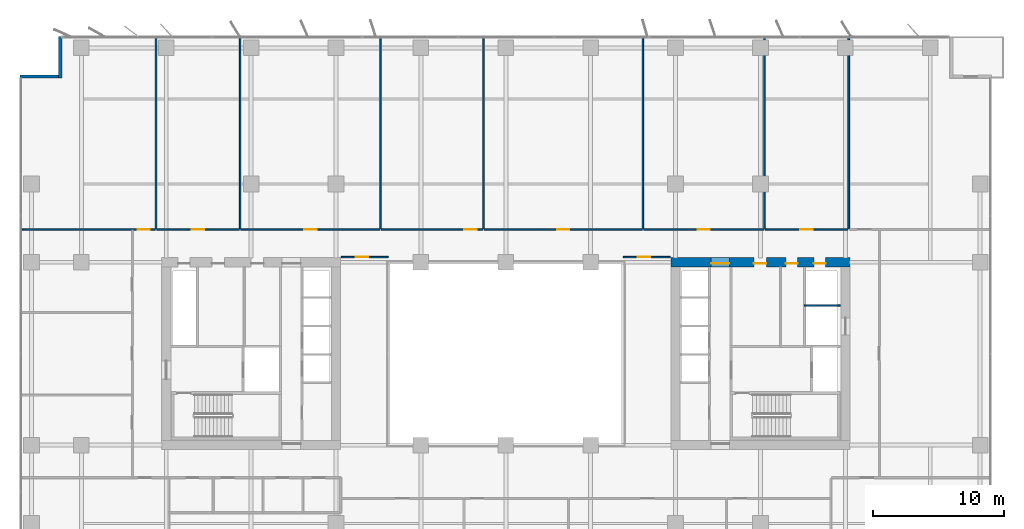
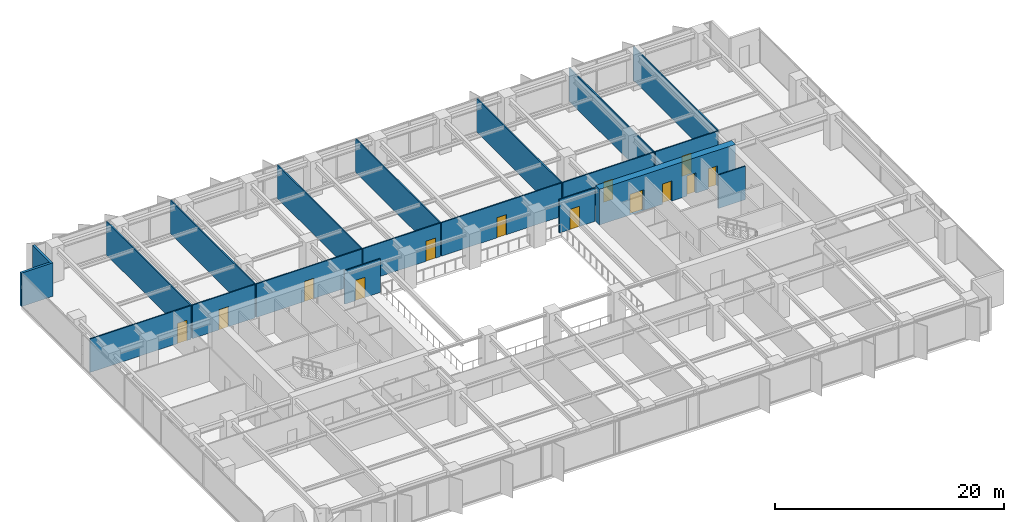
# One storey, part 15 of 20: 20 walls, 13 doors, 13 openings.
"""IFC4 building model written with IfcOpenShell, lengths in metres."""

import ifcopenshell
import ifcopenshell.guid

model = None  # the IFC model being written
_history = None  # IfcOwnerHistory: only IFC2X3 demands one
_inside = {}  # id of a spatial element -> (the spatial element, [elements in it])
_under = {}  # id of a project, library or spatial element -> (it, [spatial elements below it])
_declared = {}  # id of a project -> (the project, [libraries it declares])
_typed = {}  # id of a type object -> (the type object, [elements of that type])
_made_of = {}  # id of a material, layer set ... -> (it, [elements and type objects made of it])


def new_model(schema):
    """Start an empty IFC model of exactly this schema.

    Asked for "IFC4X3", IfcOpenShell would pick the latest addendum, in which some entities
    have other attributes; the version numbers below select the first issue.
    IFC2X3 requires an IfcOwnerHistory on every rooted entity: one is made here for all.
    """
    global model, _history
    if schema == "IFC4X3":
        model = ifcopenshell.file(schema_version=(4, 3, 0, 0))
    else:
        model = ifcopenshell.file(schema=schema)
    _inside.clear()
    _under.clear()
    _declared.clear()
    _typed.clear()
    _made_of.clear()
    _history = None
    if model.schema == "IFC2X3":
        org = make("IfcOrganization", Name="unknown")
        user = make(
            "IfcPersonAndOrganization",
            ThePerson=make("IfcPerson", FamilyName="unknown"),
            TheOrganization=org,
        )
        app = make(
            "IfcApplication",
            ApplicationDeveloper=org,
            Version="unknown",
            ApplicationFullName="unknown",
            ApplicationIdentifier="unknown",
        )
        _history = make(
            "IfcOwnerHistory",
            OwningUser=user,
            OwningApplication=app,
            ChangeAction="ADDED",
            CreationDate=0,
        )
    return model


def make(cls, **values):
    """One entity of the class cls with the attributes given. An attribute that is None is left unset."""
    return model.create_entity(
        cls, **{name: value for name, value in values.items() if value is not None}
    )


def rooted(cls, **values):
    """An entity with a GlobalId (a new one), such as an element, a storey or a relation."""
    return make(cls, GlobalId=ifcopenshell.guid.new(), OwnerHistory=_history, **values)


def si_unit(unit_type, name, prefix=None):
    """IfcSIUnit, for example si_unit("LENGTHUNIT", "METRE", prefix="MILLI")."""
    return make("IfcSIUnit", UnitType=unit_type, Prefix=prefix, Name=name)


def assignment(units):
    """IfcUnitAssignment: the units of a project."""
    return None if units is None else make("IfcUnitAssignment", Units=units)


def point(xyz):
    """IfcCartesianPoint."""
    return None if xyz is None else make("IfcCartesianPoint", Coordinates=xyz)


def direction(xyz):
    """IfcDirection."""
    return None if xyz is None else make("IfcDirection", DirectionRatios=xyz)


def frame(location, z_axis=None, x_axis=None):
    """IfcAxis2Placement3D, a coordinate frame: its origin and axes. An axis left out is left unset."""
    return make(
        "IfcAxis2Placement3D",
        Location=point(location),
        Axis=direction(z_axis),
        RefDirection=direction(x_axis),
    )


def frame_2d(location, x_axis=None):
    """IfcAxis2Placement2D, a coordinate frame in the plane: its origin and x axis."""
    return make(
        "IfcAxis2Placement2D", Location=point(location), RefDirection=direction(x_axis)
    )


def origin():
    """The frame at (0, 0, 0) with its axes left unset."""
    return frame((0.0, 0.0, 0.0))


def place(relative_to, where):
    """IfcLocalPlacement: puts the frame where relative to a parent placement (None: the world)."""
    return make(
        "IfcLocalPlacement", PlacementRelTo=relative_to, RelativePlacement=where
    )


def context(
    kind, dimensions, precision=None, world=None, true_north=None, identifier=None
):
    """IfcGeometricRepresentationContext, for example the 3D "Model" context."""
    return make(
        "IfcGeometricRepresentationContext",
        ContextIdentifier=identifier,
        ContextType=kind,
        CoordinateSpaceDimension=dimensions,
        Precision=precision,
        WorldCoordinateSystem=world,
        TrueNorth=true_north,
    )


def subcontext(parent, identifier, kind, view, scale=None):
    """IfcGeometricRepresentationSubContext, for example "Body" below "Model"."""
    return make(
        "IfcGeometricRepresentationSubContext",
        ContextIdentifier=identifier,
        ContextType=kind,
        ParentContext=parent,
        TargetScale=scale,
        TargetView=view,
    )


def project(units=None, contexts=None):
    """IfcProject with its units and contexts."""
    return rooted(
        "IfcProject",
        Name="project",
        RepresentationContexts=contexts,
        UnitsInContext=assignment(units),
    )


def spatial(cls, under=None, at=None, **own):
    """A site, building, storey or space (cls), placed at a placement, below another one or the project."""
    s = rooted(cls, ObjectPlacement=at, **own)
    if under is not None:
        _under.setdefault(under.id(), (under, []))[1].append(s)
    return s


def profile(cls, at=None, kind="AREA", **sizes):
    """A parametric profile (cls). Its sizes go by their IFC names, for example OverallWidth=200.0."""
    return make(cls, ProfileType=kind, Position=at, **sizes)


def rectangle(**sizes):
    """IfcRectangleProfileDef."""
    return profile("IfcRectangleProfileDef", **sizes)


def extrude(swept, where, along, depth):
    """IfcExtrudedAreaSolid: the profile swept, set in the frame where, extruded along a direction by depth."""
    return make(
        "IfcExtrudedAreaSolid",
        SweptArea=swept,
        Position=where,
        ExtrudedDirection=direction(along),
        Depth=depth,
    )


def shape(context_of_items, identifier, shape_type, items):
    """IfcShapeRepresentation: the items that make up one representation, for example the "Body"."""
    return make(
        "IfcShapeRepresentation",
        ContextOfItems=context_of_items,
        RepresentationIdentifier=identifier,
        RepresentationType=shape_type,
        Items=items,
    )


def material(Name=None, Category=None):
    """IfcMaterial."""
    return make("IfcMaterial", Name=Name, Category=Category)


def layer(
    of_material, thickness, ventilated=None, Name=None, Category=None, Priority=None
):
    """IfcMaterialLayer: one layer of a wall or slab, of a material (None: an air gap)."""
    return make(
        "IfcMaterialLayer",
        Material=of_material,
        LayerThickness=thickness,
        IsVentilated=ventilated,
        Name=Name,
        Category=Category,
        Priority=Priority,
    )


def layer_set(layers, Name=None):
    """IfcMaterialLayerSet."""
    return make("IfcMaterialLayerSet", MaterialLayers=layers, LayerSetName=Name)


def made_of(thing, what):
    """Note that an element or type object is made of a material, layer set ...; save() writes the relation."""
    if what is not None:
        _made_of.setdefault(what.id(), (what, []))[1].append(thing)
    return thing


def type_object(cls, material=None, **own):
    """A type object (cls), such as IfcWallType, which elements share."""
    return made_of(rooted(cls, **own), material)


def element(
    cls,
    number,
    at=None,
    inside=None,
    cuts=None,
    type_object=None,
    material=None,
    context=None,
    identifier="Body",
    shape_type=None,
    held_by="IfcProductDefinitionShape",
    body=None,
    shapes=None,
    **own,
):
    """One element of the class cls, such as IfcWall. Its Tag is "e" and its number.

    at: its placement. inside: the storey or other place that contains it. cuts: it is an
    opening in that element (IfcRelVoidsElement). A single representation is given by context,
    identifier, shape_type and body (its items); several are given by shapes. held_by: the class
    of the entity that holds the representations. save() writes the other relations.
    """
    e = rooted(cls, Tag="e%d" % number, ObjectPlacement=at, **own)
    if body is not None:
        shapes = [shape(context, identifier, shape_type, body)]
    if shapes is not None:
        e.Representation = make(held_by, Representations=shapes)
    if inside is not None:
        _inside.setdefault(inside.id(), (inside, []))[1].append(e)
    if cuts is not None:
        rooted(
            "IfcRelVoidsElement", RelatingBuildingElement=cuts, RelatedOpeningElement=e
        )
    if type_object is not None:
        _typed.setdefault(type_object.id(), (type_object, []))[1].append(e)
    return made_of(e, material)


def fill(opening, filler):
    """IfcRelFillsElement: the door or window that sits in an opening."""
    return rooted(
        "IfcRelFillsElement",
        RelatingOpeningElement=opening,
        RelatedBuildingElement=filler,
    )


def aggregate(whole, parts):
    """IfcRelAggregates: a whole, such as a stair, and the parts it consists of."""
    return rooted("IfcRelAggregates", RelatingObject=whole, RelatedObjects=parts)


def save(model, path):
    """Write the relations noted so far, then the file.

    IfcRelAggregates (storeys below a building ...), IfcRelContainedInSpatialStructure (elements
    in a storey), IfcRelDefinesByType, IfcRelAssociatesMaterial and IfcRelDeclares: one each for
    every whole, place, type object, material and project.
    """
    for whole, parts in _under.values():
        aggregate(whole, parts)
    for where, things in _inside.values():
        rooted(
            "IfcRelContainedInSpatialStructure",
            RelatedElements=things,
            RelatingStructure=where,
        )
    for kind, things in _typed.values():
        rooted("IfcRelDefinesByType", RelatedObjects=things, RelatingType=kind)
    for what, things in _made_of.values():
        rooted("IfcRelAssociatesMaterial", RelatedObjects=things, RelatingMaterial=what)
    for by, libraries in _declared.values():
        rooted("IfcRelDeclares", RelatingContext=by, RelatedDefinitions=libraries)
    model.write(path)


model = new_model("IFC4")

# Units and contexts
model_context = context("Model", 3, precision=1e-05, world=origin(), true_north=direction((0.0, 1.0)))
body_context = subcontext(model_context, "Body", "Model", "MODEL_VIEW")
ifc_project = project(units=[si_unit("LENGTHUNIT", "METRE"), si_unit("AREAUNIT", "SQUARE_METRE"), si_unit("VOLUMEUNIT", "CUBIC_METRE"), si_unit("PLANEANGLEUNIT", "RADIAN"), si_unit("MASSUNIT", "GRAM", prefix="KILO")], contexts=[model_context])

# Site, building, storey
site_placement = place(None, origin())
site = spatial("IfcSite", under=ifc_project, at=site_placement, CompositionType="ELEMENT")
building_placement = place(site_placement, origin())
building = spatial("IfcBuilding", under=site, at=building_placement, Name="Putna Gate Headquarters", CompositionType="ELEMENT")
storey_placement = place(building_placement, frame((0.0, 0.0, 124.0)))
storey = spatial("IfcBuildingStorey", under=building, at=storey_placement, Name="L30", CompositionType="ELEMENT", Elevation=124.0)

# Wall, openings, doors
ifc_material_1 = material(Name="Concrete C60/75", Category="concrete")
ifc_layer_1 = layer(ifc_material_1, 0.699951171875)
ifc_layer_set_1 = layer_set([ifc_layer_1], Name="Concrete C60/75")
wall_type_1 = type_object("IfcWallType", Name="WALL-CORE-700", PredefinedType="SHEAR", material=ifc_layer_set_1)
wall_1_placement = place(storey_placement, frame((51.64990234375, 33.0, 0.0), z_axis=(0.0, 0.0, 1.0), x_axis=(1.0, 0.0, 0.0)))
wall_1 = element("IfcWall", 1, at=wall_1_placement, inside=storey, type_object=wall_type_1, Name="L30 EC Split Core Shear Wall N", PredefinedType="SHEAR", context=body_context, shape_type="SweptSolid", body=[
    extrude(rectangle(XDim=13.7001953125, YDim=0.699951171875, at=frame_2d((6.85009765625, 0.0))), origin(), (0.0, 0.0, 1.0), 3.800048828125),
])
opening_1_placement = place(wall_1_placement, frame((3.070068359375, 0.0, 0.0)))
opening_1 = element("IfcOpeningElement", 2, at=opening_1_placement, cuts=wall_1, Name="Opening FDD-140", PredefinedType="OPENING", context=body_context, shape_type="SweptSolid", body=[
    extrude(rectangle(XDim=1.39990234375, YDim=2.199951171875, at=frame_2d((0.699951171875, 1.10009765625))), frame((0.0, 0.35986328125, 0.0), z_axis=(0.0, -1.0, 0.0), x_axis=(1.0, 0.0, 0.0)), (0.0, 0.0, 1.0), 0.719970703125),
])
opening_2_placement = place(wall_1_placement, frame((10.949951171875, 0.0, 0.0)))
opening_2 = element("IfcOpeningElement", 3, at=opening_2_placement, cuts=wall_1, Name="Opening RD-90", PredefinedType="OPENING", context=body_context, shape_type="SweptSolid", body=[
    extrude(rectangle(XDim=0.89990234375, YDim=2.14990234375, at=frame_2d((0.449951171875, 1.074951171875))), frame((0.0, 0.35986328125, 0.0), z_axis=(0.0, -1.0, 0.0), x_axis=(1.0, 0.0, 0.0)), (0.0, 0.0, 1.0), 0.719970703125),
])
opening_3_placement = place(wall_1_placement, frame((6.35009765625, 0.0, 0.0)))
opening_3 = element("IfcOpeningElement", 4, at=opening_3_placement, cuts=wall_1, Name="Opening IDS-95", PredefinedType="OPENING", context=body_context, shape_type="SweptSolid", body=[
    extrude(rectangle(XDim=0.949951171875, YDim=2.14990234375, at=frame_2d((0.47509765625, 1.074951171875))), frame((0.0, 0.35986328125, 0.0), z_axis=(0.0, -1.0, 0.0), x_axis=(1.0, 0.0, 0.0)), (0.0, 0.0, 1.0), 0.719970703125),
])
opening_4_placement = place(wall_1_placement, frame((8.800048828125, 0.0, 0.0)))
opening_4 = element("IfcOpeningElement", 5, at=opening_4_placement, cuts=wall_1, Name="Opening IDS-90", PredefinedType="OPENING", context=body_context, shape_type="SweptSolid", body=[
    extrude(rectangle(XDim=0.89990234375, YDim=2.14990234375, at=frame_2d((0.449951171875, 1.074951171875))), frame((0.0, 0.35986328125, 0.0), z_axis=(0.0, -1.0, 0.0), x_axis=(1.0, 0.0, 0.0)), (0.0, 0.0, 1.0), 0.719970703125),
])
ifc_material_2 = material(Name="Double steel fire door", Category="steel")
door_type_1 = type_object("IfcDoorType", Name="DOOR-FIRE-DBL-1400", OperationType="DOUBLE_DOOR_SINGLE_SWING", PredefinedType="DOOR", material=ifc_material_2)
door_1_placement = place(opening_1_placement, origin())
door_1 = element("IfcDoor", 6, at=door_1_placement, inside=storey, type_object=door_type_1, Name="L30 East Lift Lobby North Door", OperationType="DOUBLE_DOOR_SINGLE_SWING", OverallHeight=2.199951171875, OverallWidth=1.39990234375, PredefinedType="DOOR", context=body_context, shape_type="SweptSolid", body=[
    extrude(rectangle(XDim=1.39990234375, YDim=2.199951171875, at=frame_2d((0.699951171875, 1.10009765625))), frame((0.0, -0.0751953125, 0.0), z_axis=(0.0, -1.0, 0.0), x_axis=(1.0, 0.0, 0.0)), (0.0, 0.0, 1.0), 0.050048828125),
])
fill(opening_1, door_1)
ifc_material_3 = material(Name="Fire-rated utility door")
door_type_2 = type_object("IfcDoorType", Name="DOOR-INT-900", OperationType="NOTDEFINED", PredefinedType="DOOR", material=ifc_material_3)
door_2_placement = place(opening_4_placement, origin())
door_2 = element("IfcDoor", 7, at=door_2_placement, inside=storey, type_object=door_type_2, Name="L30 Electrical Plant Door", OperationType="SINGLE_SWING_LEFT", OverallHeight=2.14990234375, OverallWidth=0.89990234375, PredefinedType="DOOR", context=body_context, shape_type="SweptSolid", body=[
    extrude(rectangle(XDim=0.89990234375, YDim=2.14990234375, at=frame_2d((0.449951171875, 1.074951171875))), frame((0.0, -0.0751953125, 0.0), z_axis=(0.0, -1.0, 0.0), x_axis=(1.0, 0.0, 0.0)), (0.0, 0.0, 1.0), 0.050048828125),
])
fill(opening_4, door_2)
ifc_material_4 = material(Name="Fire-rated service timber door", Category="wood")
door_type_3 = type_object("IfcDoorType", Name="DOOR-INT-950", OperationType="NOTDEFINED", PredefinedType="DOOR", material=ifc_material_4)
door_3_placement = place(opening_3_placement, origin())
door_3 = element("IfcDoor", 8, at=door_3_placement, inside=storey, type_object=door_type_3, Name="L30 East Store Door", OperationType="SINGLE_SWING_RIGHT", OverallHeight=2.14990234375, OverallWidth=0.949951171875, PredefinedType="DOOR", context=body_context, shape_type="SweptSolid", body=[
    extrude(rectangle(XDim=0.949951171875, YDim=2.14990234375, at=frame_2d((0.47509765625, 1.074951171875))), frame((0.0, -0.0751953125, 0.0), z_axis=(0.0, -1.0, 0.0), x_axis=(1.0, 0.0, 0.0)), (0.0, 0.0, 1.0), 0.050048828125),
])
fill(opening_3, door_3)
ifc_material_5 = material(Name="Steel riser access fire door", Category="steel")
door_type_4 = type_object("IfcDoorType", Name="DOOR-RISER-900", OperationType="NOTDEFINED", PredefinedType="DOOR", material=ifc_material_5)
door_4_placement = place(opening_2_placement, origin())
door_4 = element("IfcDoor", 9, at=door_4_placement, inside=storey, type_object=door_type_4, Name="L30 East Riser Access Door", OperationType="SINGLE_SWING_LEFT", OverallHeight=2.14990234375, OverallWidth=0.89990234375, PredefinedType="DOOR", context=body_context, shape_type="SweptSolid", body=[
    extrude(rectangle(XDim=0.89990234375, YDim=2.14990234375, at=frame_2d((0.449951171875, 1.074951171875))), frame((0.0, -0.0751953125, 0.0), z_axis=(0.0, -1.0, 0.0), x_axis=(1.0, 0.0, 0.0)), (0.0, 0.0, 1.0), 0.050048828125),
])
fill(opening_2, door_4)

# Walls
ifc_material_6 = material(Name="Precast concrete C40/50", Category="concrete")
ifc_layer_2 = layer(ifc_material_6, 0.239990234375)
ifc_layer_set_2 = layer_set([ifc_layer_2], Name="Precast concrete C40/50")
wall_type_2 = type_object("IfcWallType", Name="WALL-EXT-TERR-240", PredefinedType="STANDARD", material=ifc_layer_set_2)
for number, where, z_axis, x_axis, name in (
    (10, (4.8798828125, 47.10009765625, 0.0), (0.0, 0.0, 1.0), (0.0, 1.0, 0.0), "L30 Corner Notch Return Wall NW-V"),
    (11, (1.800048828125, 47.219970703125, 0.0), (0.0, 0.0, 1.0), (1.0, 0.0, 0.0), "L30 Corner Notch Return Wall NW-H"),
):
    element("IfcWall", number, at=place(storey_placement, frame(where, z_axis=z_axis, x_axis=x_axis)), inside=storey, type_object=wall_type_2, Name=name, PredefinedType="STANDARD", context=body_context, shape_type="SweptSolid", body=[
        extrude(rectangle(XDim=3.199951171875, YDim=0.239990234375, at=frame_2d((1.60009765625, 0.0))), origin(), (0.0, 0.0, 1.0), 3.56494140625),
    ])

# Wall, opening, door
ifc_material_7 = material(Name="Acoustic gypsum board on metal stud")
ifc_layer_3 = layer(ifc_material_7, 0.1201171875)
ifc_layer_set_3 = layer_set([ifc_layer_3], Name="Acoustic gypsum board on metal stud")
wall_type_3 = type_object("IfcWallType", Name="WALL-PART-120", PredefinedType="PARTITIONING", material=ifc_layer_set_3)
wall_2_placement = place(storey_placement, frame((26.39990234375, 33.39990234375, 0.0), z_axis=(0.0, 0.0, 1.0), x_axis=(1.0, 0.0, 0.0)))
wall_2 = element("IfcWall", 12, at=wall_2_placement, inside=storey, type_object=wall_type_3, Name="L30 Interior Wall PART-L30-ATR-W-N", PredefinedType="PARTITIONING", context=body_context, shape_type="SweptSolid", body=[
    extrude(rectangle(XDim=3.60009765625, YDim=0.1201171875, at=frame_2d((1.800048828125, 0.0))), origin(), (0.0, 0.0, 1.0), 3.56494140625),
])
opening_5_placement = place(wall_2_placement, frame((1.10009765625, 0.0, 0.0)))
opening_5 = element("IfcOpeningElement", 13, at=opening_5_placement, cuts=wall_2, Name="Opening ID-95", PredefinedType="OPENING", context=body_context, shape_type="SweptSolid", body=[
    extrude(rectangle(XDim=0.949951171875, YDim=2.14990234375, at=frame_2d((0.47509765625, 1.074951171875))), frame((0.0, 0.070068359375, 0.0), z_axis=(0.0, -1.0, 0.0), x_axis=(1.0, 0.0, 0.0)), (0.0, 0.0, 1.0), 0.14013671875),
])
ifc_material_8 = material(Name="Veneered acoustic timber door", Category="wood")
door_type_5 = type_object("IfcDoorType", Name="DOOR-OFF-950", OperationType="NOTDEFINED", PredefinedType="DOOR", material=ifc_material_8)
door_5_placement = place(opening_5_placement, origin())
door_5 = element("IfcDoor", 14, at=door_5_placement, inside=storey, type_object=door_type_5, Name="L30 West Atrium Lounge Door", OperationType="SINGLE_SWING_LEFT", OverallHeight=2.14990234375, OverallWidth=0.949951171875, PredefinedType="DOOR", context=body_context, shape_type="SweptSolid", body=[
    extrude(rectangle(XDim=0.949951171875, YDim=2.14990234375, at=frame_2d((0.47509765625, 1.074951171875))), frame((0.0, 0.02490234375, 0.0), z_axis=(0.0, -1.0, 0.0), x_axis=(1.0, 0.0, 0.0)), (0.0, 0.0, 1.0), 0.050048828125),
])
fill(opening_5, door_5)

wall_3_placement = place(storey_placement, frame((48.0, 33.39990234375, 0.0), z_axis=(0.0, 0.0, 1.0), x_axis=(1.0, 0.0, 0.0)))
wall_3 = element("IfcWall", 15, at=wall_3_placement, inside=storey, type_object=wall_type_3, Name="L30 Interior Wall PART-L30-ATR-E-N", PredefinedType="PARTITIONING", context=body_context, shape_type="SweptSolid", body=[
    extrude(rectangle(XDim=3.60009765625, YDim=0.1201171875, at=frame_2d((1.800048828125, 0.0))), origin(), (0.0, 0.0, 1.0), 3.56494140625),
])
opening_6_placement = place(wall_3_placement, frame((1.10009765625, 0.0, 0.0)))
opening_6 = element("IfcOpeningElement", 16, at=opening_6_placement, cuts=wall_3, Name="Opening ID-95", PredefinedType="OPENING", context=body_context, shape_type="SweptSolid", body=[
    extrude(rectangle(XDim=0.949951171875, YDim=2.14990234375, at=frame_2d((0.47509765625, 1.074951171875))), frame((0.0, 0.070068359375, 0.0), z_axis=(0.0, -1.0, 0.0), x_axis=(1.0, 0.0, 0.0)), (0.0, 0.0, 1.0), 0.14013671875),
])
door_6_placement = place(opening_6_placement, origin())
door_6 = element("IfcDoor", 17, at=door_6_placement, inside=storey, type_object=door_type_5, Name="L30 East Atrium Lounge Door", OperationType="SINGLE_SWING_RIGHT", OverallHeight=2.14990234375, OverallWidth=0.949951171875, PredefinedType="DOOR", context=body_context, shape_type="SweptSolid", body=[
    extrude(rectangle(XDim=0.949951171875, YDim=2.14990234375, at=frame_2d((0.47509765625, 1.074951171875))), frame((0.0, 0.02490234375, 0.0), z_axis=(0.0, -1.0, 0.0), x_axis=(1.0, 0.0, 0.0)), (0.0, 0.0, 1.0), 0.050048828125),
])
fill(opening_6, door_6)

# Walls
for number, where, z_axis, x_axis, name in (
    (18, (12.21240234375, 35.56005859375, 0.0), (0.0, 0.0, 1.0), (0.0, 1.0, 0.0), "L30 Interior Wall PART-L30-NB-DIV-01"),
    (19, (18.65380859375, 35.56005859375, 0.0), (0.0, 0.0, 1.0), (0.0, 1.0, 0.0), "L30 Interior Wall PART-L30-NB-DIV-02"),
    (20, (29.411865234375, 35.56005859375, 0.0), (0.0, 0.0, 1.0), (0.0, 1.0, 0.0), "L30 Interior Wall PART-L30-NB-DIV-03"),
    (21, (37.297119140625, 35.56005859375, 0.0), (0.0, 0.0, 1.0), (0.0, 1.0, 0.0), "L30 Interior Wall PART-L30-NB-DIV-04"),
    (22, (49.498779296875, 35.56005859375, 0.0), (0.0, 0.0, 1.0), (0.0, 1.0, 0.0), "L30 Interior Wall PART-L30-NB-DIV-05"),
    (23, (58.820556640625, 35.56005859375, 0.0), (0.0, 0.0, 1.0), (0.0, 1.0, 0.0), "L30 Interior Wall PART-L30-NB-DIV-06"),
    (24, (65.261962890625, 35.56005859375, 0.0), (0.0, 0.0, 1.0), (0.0, 1.0, 0.0), "L30 Interior Wall PART-L30-NB-DIV-07"),
):
    element("IfcWall", number, at=place(storey_placement, frame(where, z_axis=z_axis, x_axis=x_axis)), inside=storey, type_object=wall_type_3, Name=name, PredefinedType="PARTITIONING", context=body_context, shape_type="SweptSolid", body=[
        extrude(rectangle(XDim=14.719970703125, YDim=0.1201171875, at=frame_2d((7.35986328125, 0.0))), origin(), (0.0, 0.0, 1.0), 3.56494140625),
    ])
ifc_material_9 = material(Name="Fire-rated shaftwall gypsum board on metal stud")
ifc_layer_4 = layer(ifc_material_9, 0.1201171875)
ifc_layer_set_4 = layer_set([ifc_layer_4], Name="Fire-rated shaftwall gypsum board on metal stud")
wall_type_4 = type_object("IfcWallType", Name="WALL-PART-120-EI120", PredefinedType="PARTITIONING", material=ifc_layer_set_4)
wall_4_placement = place(storey_placement, frame((61.8701171875, 29.699951171875, 0.0), z_axis=(0.0, 0.0, 1.0), x_axis=(1.0, 0.0, 0.0)))
element("IfcWall", 25, at=wall_4_placement, inside=storey, type_object=wall_type_4, Name="L30 Interior Wall CWINT-L30-EC-LF15-N", PredefinedType="PARTITIONING", context=body_context, shape_type="SweptSolid", body=[
    extrude(rectangle(XDim=2.72998046875, YDim=0.1201171875, at=frame_2d((1.364990234375, 0.0))), origin(), (0.0, 0.0, 1.0), 3.56494140625),
])

# Wall, opening, door
ifc_material_10 = material(Name="Fire-rated gypsum board on metal stud")
ifc_layer_5 = layer(ifc_material_10, 0.1201171875)
ifc_layer_set_5 = layer_set([ifc_layer_5], Name="Fire-rated gypsum board on metal stud")
wall_type_5 = type_object("IfcWallType", Name="WALL-PART-120-RATED", PredefinedType="PARTITIONING", material=ifc_layer_set_5)
wall_5_placement = place(storey_placement, frame((1.97998046875, 35.5, 0.0), z_axis=(0.0, 0.0, 1.0), x_axis=(1.0, 0.0, 0.0)))
wall_5 = element("IfcWall", 26, at=wall_5_placement, inside=storey, type_object=wall_type_5, Name="L30 Interior Wall PART-L30-NB-CW-01", PredefinedType="PARTITIONING", context=body_context, shape_type="SweptSolid", body=[
    extrude(rectangle(XDim=10.17236328125, YDim=0.1201171875, at=frame_2d((5.086181640625, 0.0))), origin(), (0.0, 0.0, 1.0), 3.56494140625),
])
opening_7_placement = place(wall_5_placement, frame((8.8212890625, 0.0, 0.0)))
opening_7 = element("IfcOpeningElement", 27, at=opening_7_placement, cuts=wall_5, Name="Opening FD-95", PredefinedType="OPENING", context=body_context, shape_type="SweptSolid", body=[
    extrude(rectangle(XDim=0.949951171875, YDim=2.14990234375, at=frame_2d((0.47509765625, 1.074951171875))), frame((0.0, 0.070068359375, 0.0), z_axis=(0.0, -1.0, 0.0), x_axis=(1.0, 0.0, 0.0)), (0.0, 0.0, 1.0), 0.14013671875),
])
ifc_material_11 = material(Name="Acoustic timber fire door", Category="wood")
door_type_6 = type_object("IfcDoorType", Name="DOOR-FIRE-950", OperationType="NOTDEFINED", PredefinedType="DOOR", material=ifc_material_11)
door_7_placement = place(opening_7_placement, origin())
door_7 = element("IfcDoor", 28, at=door_7_placement, inside=storey, type_object=door_type_6, Name="L30 Quiet Wellness Focus Studio 1 Door", OperationType="SINGLE_SWING_LEFT", OverallHeight=2.14990234375, OverallWidth=0.949951171875, PredefinedType="DOOR", context=body_context, shape_type="SweptSolid", body=[
    extrude(rectangle(XDim=0.949951171875, YDim=2.14990234375, at=frame_2d((0.47509765625, 1.074951171875))), frame((0.0, 0.02490234375, 0.0), z_axis=(0.0, -1.0, 0.0), x_axis=(1.0, 0.0, 0.0)), (0.0, 0.0, 1.0), 0.050048828125),
])
fill(opening_7, door_7)

wall_6_placement = place(storey_placement, frame((12.272216796875, 35.5, 0.0), z_axis=(0.0, 0.0, 1.0), x_axis=(1.0, 0.0, 0.0)))
wall_6 = element("IfcWall", 29, at=wall_6_placement, inside=storey, type_object=wall_type_5, Name="L30 Interior Wall PART-L30-NB-CW-02", PredefinedType="PARTITIONING", context=body_context, shape_type="SweptSolid", body=[
    extrude(rectangle(XDim=6.321533203125, YDim=0.1201171875, at=frame_2d((3.16064453125, 0.0))), origin(), (0.0, 0.0, 1.0), 3.56494140625),
])
opening_8_placement = place(wall_6_placement, frame((2.685791015625, 0.0, 0.0)))
opening_8 = element("IfcOpeningElement", 30, at=opening_8_placement, cuts=wall_6, Name="Opening FD-95", PredefinedType="OPENING", context=body_context, shape_type="SweptSolid", body=[
    extrude(rectangle(XDim=0.949951171875, YDim=2.14990234375, at=frame_2d((0.47509765625, 1.074951171875))), frame((0.0, 0.070068359375, 0.0), z_axis=(0.0, -1.0, 0.0), x_axis=(1.0, 0.0, 0.0)), (0.0, 0.0, 1.0), 0.14013671875),
])
door_8_placement = place(opening_8_placement, origin())
door_8 = element("IfcDoor", 31, at=door_8_placement, inside=storey, type_object=door_type_6, Name="L30 Cellular Office 3 Door", OperationType="SINGLE_SWING_RIGHT", OverallHeight=2.14990234375, OverallWidth=0.949951171875, PredefinedType="DOOR", context=body_context, shape_type="SweptSolid", body=[
    extrude(rectangle(XDim=0.949951171875, YDim=2.14990234375, at=frame_2d((0.47509765625, 1.074951171875))), frame((0.0, 0.02490234375, 0.0), z_axis=(0.0, -1.0, 0.0), x_axis=(1.0, 0.0, 0.0)), (0.0, 0.0, 1.0), 0.050048828125),
])
fill(opening_8, door_8)

wall_7_placement = place(storey_placement, frame((18.7138671875, 35.5, 0.0), z_axis=(0.0, 0.0, 1.0), x_axis=(1.0, 0.0, 0.0)))
wall_7 = element("IfcWall", 32, at=wall_7_placement, inside=storey, type_object=wall_type_5, Name="L30 Interior Wall PART-L30-NB-CW-03", PredefinedType="PARTITIONING", context=body_context, shape_type="SweptSolid", body=[
    extrude(rectangle(XDim=10.637939453125, YDim=0.1201171875, at=frame_2d((5.31884765625, 0.0))), origin(), (0.0, 0.0, 1.0), 3.56494140625),
])
opening_9_placement = place(wall_7_placement, frame((4.843994140625, 0.0, 0.0)))
opening_9 = element("IfcOpeningElement", 33, at=opening_9_placement, cuts=wall_7, Name="Opening FD-95", PredefinedType="OPENING", context=body_context, shape_type="SweptSolid", body=[
    extrude(rectangle(XDim=0.949951171875, YDim=2.14990234375, at=frame_2d((0.47509765625, 1.074951171875))), frame((0.0, 0.070068359375, 0.0), z_axis=(0.0, -1.0, 0.0), x_axis=(1.0, 0.0, 0.0)), (0.0, 0.0, 1.0), 0.14013671875),
])
door_9_placement = place(opening_9_placement, origin())
door_9 = element("IfcDoor", 34, at=door_9_placement, inside=storey, type_object=door_type_6, Name="L30 Cellular Office 4 Door", OperationType="SINGLE_SWING_LEFT", OverallHeight=2.14990234375, OverallWidth=0.949951171875, PredefinedType="DOOR", context=body_context, shape_type="SweptSolid", body=[
    extrude(rectangle(XDim=0.949951171875, YDim=2.14990234375, at=frame_2d((0.47509765625, 1.074951171875))), frame((0.0, 0.02490234375, 0.0), z_axis=(0.0, -1.0, 0.0), x_axis=(1.0, 0.0, 0.0)), (0.0, 0.0, 1.0), 0.050048828125),
])
fill(opening_9, door_9)

wall_8_placement = place(storey_placement, frame((29.4716796875, 35.5, 0.0), z_axis=(0.0, 0.0, 1.0), x_axis=(1.0, 0.0, 0.0)))
wall_8 = element("IfcWall", 35, at=wall_8_placement, inside=storey, type_object=wall_type_5, Name="L30 Interior Wall PART-L30-NB-CW-04", PredefinedType="PARTITIONING", context=body_context, shape_type="SweptSolid", body=[
    extrude(rectangle(XDim=7.765380859375, YDim=0.1201171875, at=frame_2d((3.8828125, 0.0))), origin(), (0.0, 0.0, 1.0), 3.56494140625),
])
opening_10_placement = place(wall_8_placement, frame((6.335205078125, 0.0, 0.0)))
opening_10 = element("IfcOpeningElement", 36, at=opening_10_placement, cuts=wall_8, Name="Opening FD-95", PredefinedType="OPENING", context=body_context, shape_type="SweptSolid", body=[
    extrude(rectangle(XDim=0.949951171875, YDim=2.14990234375, at=frame_2d((0.47509765625, 1.074951171875))), frame((0.0, 0.070068359375, 0.0), z_axis=(0.0, -1.0, 0.0), x_axis=(1.0, 0.0, 0.0)), (0.0, 0.0, 1.0), 0.14013671875),
])
door_10_placement = place(opening_10_placement, origin())
door_10 = element("IfcDoor", 37, at=door_10_placement, inside=storey, type_object=door_type_6, Name="L30 Conference Meeting Room 1 Door", OperationType="SINGLE_SWING_RIGHT", OverallHeight=2.14990234375, OverallWidth=0.949951171875, PredefinedType="DOOR", context=body_context, shape_type="SweptSolid", body=[
    extrude(rectangle(XDim=0.949951171875, YDim=2.14990234375, at=frame_2d((0.47509765625, 1.074951171875))), frame((0.0, 0.02490234375, 0.0), z_axis=(0.0, -1.0, 0.0), x_axis=(1.0, 0.0, 0.0)), (0.0, 0.0, 1.0), 0.050048828125),
])
fill(opening_10, door_10)

wall_9_placement = place(storey_placement, frame((37.357177734375, 35.5, 0.0), z_axis=(0.0, 0.0, 1.0), x_axis=(1.0, 0.0, 0.0)))
wall_9 = element("IfcWall", 38, at=wall_9_placement, inside=storey, type_object=wall_type_5, Name="L30 Interior Wall PART-L30-NB-CW-05", PredefinedType="PARTITIONING", context=body_context, shape_type="SweptSolid", body=[
    extrude(rectangle(XDim=12.081787109375, YDim=0.1201171875, at=frame_2d((6.041015625, 0.0))), origin(), (0.0, 0.0, 1.0), 3.56494140625),
])
opening_11_placement = place(wall_9_placement, frame((5.56591796875, 0.0, 0.0)))
opening_11 = element("IfcOpeningElement", 39, at=opening_11_placement, cuts=wall_9, Name="Opening FD-95", PredefinedType="OPENING", context=body_context, shape_type="SweptSolid", body=[
    extrude(rectangle(XDim=0.949951171875, YDim=2.14990234375, at=frame_2d((0.47509765625, 1.074951171875))), frame((0.0, 0.070068359375, 0.0), z_axis=(0.0, -1.0, 0.0), x_axis=(1.0, 0.0, 0.0)), (0.0, 0.0, 1.0), 0.14013671875),
])
door_11_placement = place(opening_11_placement, origin())
door_11 = element("IfcDoor", 40, at=door_11_placement, inside=storey, type_object=door_type_6, Name="L30 Conference Meeting Room 2 Door", OperationType="SINGLE_SWING_LEFT", OverallHeight=2.14990234375, OverallWidth=0.949951171875, PredefinedType="DOOR", context=body_context, shape_type="SweptSolid", body=[
    extrude(rectangle(XDim=0.949951171875, YDim=2.14990234375, at=frame_2d((0.47509765625, 1.074951171875))), frame((0.0, 0.02490234375, 0.0), z_axis=(0.0, -1.0, 0.0), x_axis=(1.0, 0.0, 0.0)), (0.0, 0.0, 1.0), 0.050048828125),
])
fill(opening_11, door_11)

wall_10_placement = place(storey_placement, frame((49.558837890625, 35.5, 0.0), z_axis=(0.0, 0.0, 1.0), x_axis=(1.0, 0.0, 0.0)))
wall_10 = element("IfcWall", 41, at=wall_10_placement, inside=storey, type_object=wall_type_5, Name="L30 Interior Wall PART-L30-NB-CW-06", PredefinedType="PARTITIONING", context=body_context, shape_type="SweptSolid", body=[
    extrude(rectangle(XDim=9.20166015625, YDim=0.1201171875, at=frame_2d((4.600830078125, 0.0))), origin(), (0.0, 0.0, 1.0), 3.56494140625),
])
opening_12_placement = place(wall_10_placement, frame((4.125732421875, 0.0, 0.0)))
opening_12 = element("IfcOpeningElement", 42, at=opening_12_placement, cuts=wall_10, Name="Opening FD-95", PredefinedType="OPENING", context=body_context, shape_type="SweptSolid", body=[
    extrude(rectangle(XDim=0.949951171875, YDim=2.14990234375, at=frame_2d((0.47509765625, 1.074951171875))), frame((0.0, 0.070068359375, 0.0), z_axis=(0.0, -1.0, 0.0), x_axis=(1.0, 0.0, 0.0)), (0.0, 0.0, 1.0), 0.14013671875),
])
door_12_placement = place(opening_12_placement, origin())
door_12 = element("IfcDoor", 43, at=door_12_placement, inside=storey, type_object=door_type_6, Name="L30 Conference Meeting Room 3 Door", OperationType="SINGLE_SWING_RIGHT", OverallHeight=2.14990234375, OverallWidth=0.949951171875, PredefinedType="DOOR", context=body_context, shape_type="SweptSolid", body=[
    extrude(rectangle(XDim=0.949951171875, YDim=2.14990234375, at=frame_2d((0.47509765625, 1.074951171875))), frame((0.0, 0.02490234375, 0.0), z_axis=(0.0, -1.0, 0.0), x_axis=(1.0, 0.0, 0.0)), (0.0, 0.0, 1.0), 0.050048828125),
])
fill(opening_12, door_12)

wall_11_placement = place(storey_placement, frame((58.880615234375, 35.5, 0.0), z_axis=(0.0, 0.0, 1.0), x_axis=(1.0, 0.0, 0.0)))
wall_11 = element("IfcWall", 44, at=wall_11_placement, inside=storey, type_object=wall_type_5, Name="L30 Interior Wall PART-L30-NB-CW-07", PredefinedType="PARTITIONING", context=body_context, shape_type="SweptSolid", body=[
    extrude(rectangle(XDim=6.3212890625, YDim=0.1201171875, at=frame_2d((3.16064453125, 0.0))), origin(), (0.0, 0.0, 1.0), 3.56494140625),
])
opening_13_placement = place(wall_11_placement, frame((2.685791015625, 0.0, 0.0)))
opening_13 = element("IfcOpeningElement", 45, at=opening_13_placement, cuts=wall_11, Name="Opening FD-95", PredefinedType="OPENING", context=body_context, shape_type="SweptSolid", body=[
    extrude(rectangle(XDim=0.949951171875, YDim=2.14990234375, at=frame_2d((0.47509765625, 1.074951171875))), frame((0.0, 0.070068359375, 0.0), z_axis=(0.0, -1.0, 0.0), x_axis=(1.0, 0.0, 0.0)), (0.0, 0.0, 1.0), 0.14013671875),
])
door_13_placement = place(opening_13_placement, origin())
door_13 = element("IfcDoor", 46, at=door_13_placement, inside=storey, type_object=door_type_6, Name="L30 Conference Meeting Room 4 Door", OperationType="SINGLE_SWING_LEFT", OverallHeight=2.14990234375, OverallWidth=0.949951171875, PredefinedType="DOOR", context=body_context, shape_type="SweptSolid", body=[
    extrude(rectangle(XDim=0.949951171875, YDim=2.14990234375, at=frame_2d((0.47509765625, 1.074951171875))), frame((0.0, 0.02490234375, 0.0), z_axis=(0.0, -1.0, 0.0), x_axis=(1.0, 0.0, 0.0)), (0.0, 0.0, 1.0), 0.050048828125),
])
fill(opening_13, door_13)

save(model, "model.ifc")
